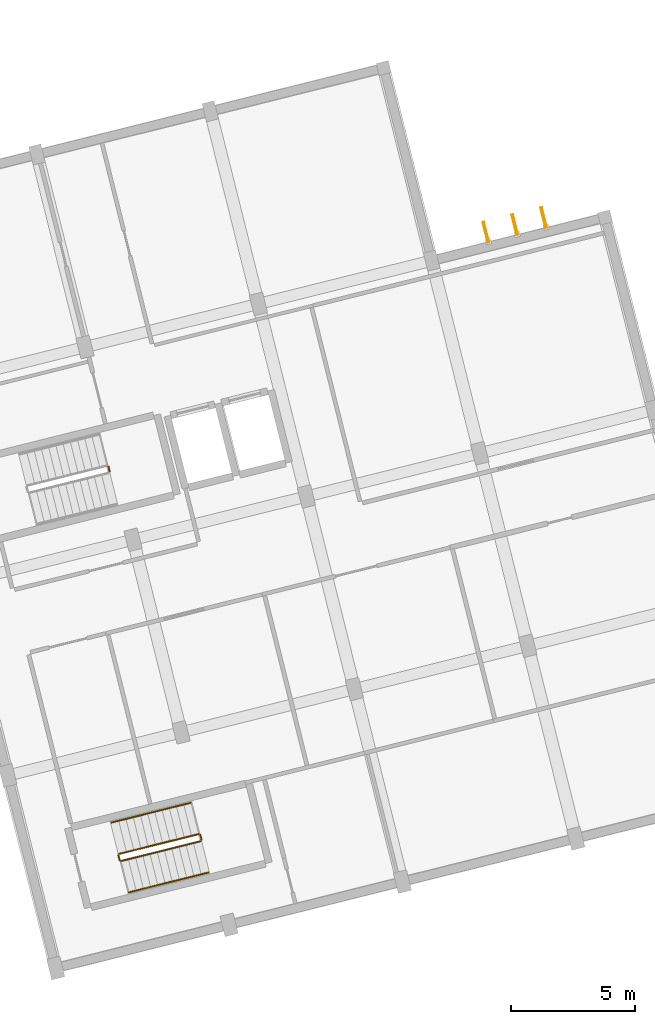
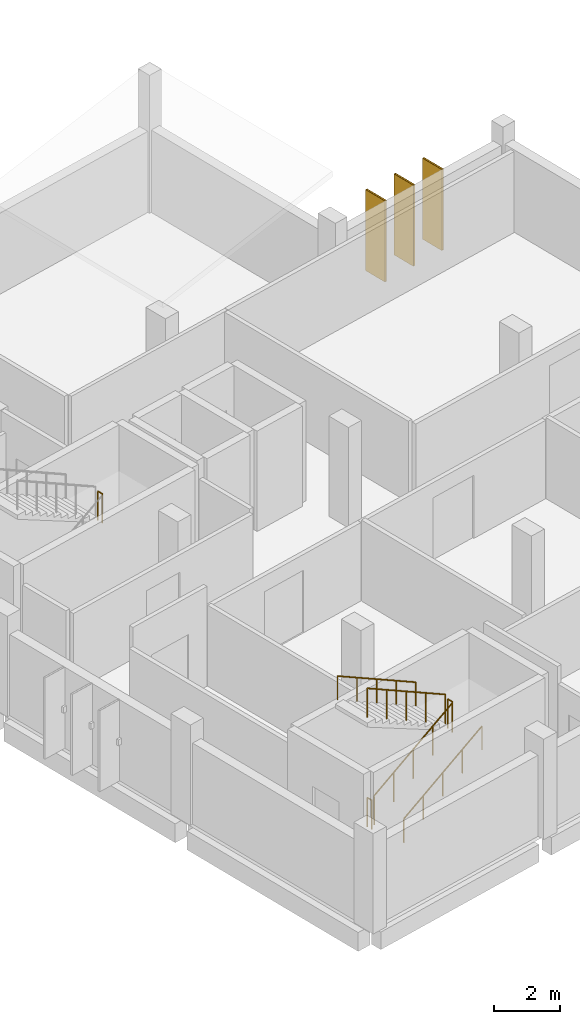
# One storey, part 21 of 21: 7 railings, 3 shading devices.
"""IFC4 building model written with IfcOpenShell, lengths in metres."""

from ifc_helpers import new_model, si_unit, direction, frame, origin, origin_2d, place, context, subcontext, project, spatial, hollow_rectangle, circle, extrude, material, material_profile, profile_set, type_object, element, save


model = new_model("IFC4")

# Units and contexts
model_context = context("Model", 3, precision=1e-05, world=origin(), true_north=direction((0.0, 1.0)))
body_context = subcontext(model_context, "Body", "Model", "MODEL_VIEW")
ifc_project = project(units=[si_unit("LENGTHUNIT", "METRE"), si_unit("AREAUNIT", "SQUARE_METRE"), si_unit("VOLUMEUNIT", "CUBIC_METRE"), si_unit("PLANEANGLEUNIT", "RADIAN"), si_unit("MASSUNIT", "GRAM", prefix="KILO")], contexts=[model_context])

# Site, building, storey
site_placement = place(None, origin())
site = spatial("IfcSite", under=ifc_project, at=site_placement, CompositionType="ELEMENT")
building_placement = place(site_placement, origin())
building = spatial("IfcBuilding", under=site, at=building_placement, Name="Mawjan Specialist Oncology Clinic", CompositionType="ELEMENT")
storey_placement = place(building_placement, frame((0.0, 0.0, 13.5)))
storey = spatial("IfcBuildingStorey", under=building, at=storey_placement, Name="L03", CompositionType="ELEMENT", Elevation=13.5)

# Railings
ifc_material_1 = material(Name="Powder-coated steel stair guard with vertical infill pickets", Category="steel")
railing_type_1 = type_object("IfcRailingType", Name="GR-110", PredefinedType="GUARDRAIL", material=ifc_material_1)
railing_1_placement = place(storey_placement, frame((128.171142578125, 20.81982421875, 2.0)))
element("IfcRailing", 1, at=railing_1_placement, inside=storey, type_object=railing_type_1, Name="L03 ST-05 stair guard 2", PredefinedType="GUARDRAIL", context=body_context, shape_type="SweptSolid", body=[
    extrude(circle(Radius=0.02392578125, at=origin_2d()), frame((0.0, 0.0, 1.076171875), z_axis=(-0.241673946692, 0.970357513234, 0.0), x_axis=(-0.970357513234, -0.241673946692, 0.0)), (0.0, 0.0, 1.0), 0.199951171875),
    extrude(circle(Radius=0.02099609375, at=origin_2d()), origin(), (0.0, 0.0, 1.0), 1.052001953125),
    extrude(circle(Radius=0.02099609375, at=origin_2d()), frame((-0.04833984375, 0.194091796875, 0.0)), (0.0, 0.0, 1.0), 1.052001953125),
])
railing_2_placement = place(storey_placement, frame((128.63427734375, 5.115478515625, 0.166748046875)))
element("IfcRailing", 2, at=railing_2_placement, inside=storey, type_object=railing_type_1, Name="L03 ST-06 stair guard 1", PredefinedType="GUARDRAIL", context=body_context, shape_type="SweptSolid", body=[
    extrude(circle(Radius=0.02392578125, at=origin_2d()), frame((0.0, 0.0, 1.076171875), z_axis=(0.848194742127, 0.211482791213, 0.485634336152), x_axis=(-0.24192630068, 0.970294627956, 0.0)), (0.0, 0.0, 1.0), 3.77490234375),
    extrude(circle(Radius=0.02099609375, at=origin_2d()), origin(), (0.0, 0.0, 1.0), 1.052001953125),
    extrude(circle(Radius=0.02099609375, at=origin_2d()), frame((0.800537109375, 0.19970703125, 0.458251953125)), (0.0, 0.0, 1.0), 1.052001953125),
    extrude(circle(Radius=0.02099609375, at=origin_2d()), frame((1.60107421875, 0.399169921875, 0.91650390625)), (0.0, 0.0, 1.0), 1.052001953125),
    extrude(circle(Radius=0.02099609375, at=origin_2d()), frame((2.4013671875, 0.5986328125, 1.375)), (0.0, 0.0, 1.0), 1.052001953125),
    extrude(circle(Radius=0.02099609375, at=origin_2d()), frame((3.201904296875, 0.79833984375, 1.833251953125)), (0.0, 0.0, 1.0), 1.052001953125),
])
railing_3_placement = place(storey_placement, frame((131.87255859375, 5.974365234375, 2.0)))
element("IfcRailing", 3, at=railing_3_placement, inside=storey, type_object=railing_type_1, Name="L03 ST-06 stair guard 2", PredefinedType="GUARDRAIL", context=body_context, shape_type="SweptSolid", body=[
    extrude(circle(Radius=0.02392578125, at=origin_2d()), frame((0.0, 0.0, 1.076171875), z_axis=(-0.241673946692, 0.970357513234, 0.0), x_axis=(-0.970357513234, -0.241673946692, 0.0)), (0.0, 0.0, 1.0), 0.199951171875),
    extrude(circle(Radius=0.02099609375, at=origin_2d()), origin(), (0.0, 0.0, 1.0), 1.052001953125),
    extrude(circle(Radius=0.02099609375, at=origin_2d()), frame((-0.04833984375, 0.194091796875, 0.0)), (0.0, 0.0, 1.0), 1.052001953125),
])
railing_4_placement = place(storey_placement, frame((131.763671875, 6.204833984375, 2.166748046875)))
element("IfcRailing", 4, at=railing_4_placement, inside=storey, type_object=railing_type_1, Name="L03 ST-06 stair guard 3", PredefinedType="GUARDRAIL", context=body_context, shape_type="SweptSolid", body=[
    extrude(circle(Radius=0.02392578125, at=origin_2d()), frame((0.0, 0.0, 1.076171875), z_axis=(-0.848194742127, -0.211482791213, 0.485634336152), x_axis=(0.24192630068, -0.970294627956, 0.0)), (0.0, 0.0, 1.0), 3.77490234375),
    extrude(circle(Radius=0.02099609375, at=origin_2d()), origin(), (0.0, 0.0, 1.0), 1.052001953125),
    extrude(circle(Radius=0.02099609375, at=origin_2d()), frame((-0.800537109375, -0.19970703125, 0.458251953125)), (0.0, 0.0, 1.0), 1.052001953125),
    extrude(circle(Radius=0.02099609375, at=origin_2d()), frame((-1.60107421875, -0.399169921875, 0.91650390625)), (0.0, 0.0, 1.0), 1.052001953125),
    extrude(circle(Radius=0.02099609375, at=origin_2d()), frame((-2.4013671875, -0.5986328125, 1.375)), (0.0, 0.0, 1.0), 1.052001953125),
    extrude(circle(Radius=0.02099609375, at=origin_2d()), frame((-3.201904296875, -0.79833984375, 1.833251953125)), (0.0, 0.0, 1.0), 1.052001953125),
])
railing_5_placement = place(storey_placement, frame((128.57373046875, 5.15185546875, 0.0)))
element("IfcRailing", 5, at=railing_5_placement, inside=storey, type_object=railing_type_1, Name="L03 ST-06 stair guard 4", PredefinedType="GUARDRAIL", context=body_context, shape_type="SweptSolid", body=[
    extrude(circle(Radius=0.02392578125, at=origin_2d()), frame((0.0, 0.0, 1.076171875), z_axis=(-0.242822723755, 0.970070680326, 0.0), x_axis=(-0.970070680326, -0.242822723755, 0.0)), (0.0, 0.0, 1.0), 0.2001953125),
    extrude(circle(Radius=0.02099609375, at=origin_2d()), origin(), (0.0, 0.0, 1.0), 1.052001953125),
    extrude(circle(Radius=0.02099609375, at=origin_2d()), frame((-0.048583984375, 0.194091796875, 0.0)), (0.0, 0.0, 1.0), 1.052001953125),
])
ifc_material_2 = material(Name="Brushed stainless-steel tubular handrail", Category="steel")
railing_type_2 = type_object("IfcRailingType", Name="HR-090", PredefinedType="HANDRAIL", material=ifc_material_2)
railing_6_placement = place(storey_placement, frame((128.94873046875, 3.85400390625, 0.166748046875)))
element("IfcRailing", 6, at=railing_6_placement, inside=storey, type_object=railing_type_2, Name="L03 ST-06 stair handrail 1", PredefinedType="HANDRAIL", context=body_context, shape_type="SweptSolid", body=[
    extrude(circle(Radius=0.02392578125, at=origin_2d()), frame((0.0, 0.0, 0.8759765625), z_axis=(0.848194742127, 0.211482791213, 0.485634336152), x_axis=(-0.24192630068, 0.970294627956, 0.0)), (0.0, 0.0, 1.0), 3.77490234375),
    extrude(circle(Radius=0.02099609375, at=origin_2d()), origin(), (0.0, 0.0, 1.0), 0.851806640625),
    extrude(circle(Radius=0.02099609375, at=origin_2d()), frame((0.800537109375, 0.19970703125, 0.458251953125)), (0.0, 0.0, 1.0), 0.851806640625),
    extrude(circle(Radius=0.02099609375, at=origin_2d()), frame((1.60107421875, 0.399169921875, 0.91650390625)), (0.0, 0.0, 1.0), 0.851806640625),
    extrude(circle(Radius=0.02099609375, at=origin_2d()), frame((2.4013671875, 0.5986328125, 1.375)), (0.0, 0.0, 1.0), 0.851806640625),
    extrude(circle(Radius=0.02099609375, at=origin_2d()), frame((3.201904296875, 0.79833984375, 1.833251953125)), (0.0, 0.0, 1.0), 0.851806640625),
])
railing_7_placement = place(storey_placement, frame((131.44921875, 7.46630859375, 2.166748046875)))
element("IfcRailing", 7, at=railing_7_placement, inside=storey, type_object=railing_type_2, Name="L03 ST-06 stair handrail 2", PredefinedType="HANDRAIL", context=body_context, shape_type="SweptSolid", body=[
    extrude(circle(Radius=0.02392578125, at=origin_2d()), frame((0.0, 0.0, 0.8759765625), z_axis=(-0.848212885837, -0.211471190659, 0.485607697449), x_axis=(0.241908934998, -0.970298957625, 0.0)), (0.0, 0.0, 1.0), 3.775146484375),
    extrude(circle(Radius=0.02099609375, at=origin_2d()), origin(), (0.0, 0.0, 1.0), 0.851806640625),
    extrude(circle(Radius=0.02099609375, at=origin_2d()), frame((-0.800537109375, -0.19970703125, 0.458251953125)), (0.0, 0.0, 1.0), 0.851806640625),
    extrude(circle(Radius=0.02099609375, at=origin_2d()), frame((-1.60107421875, -0.399169921875, 0.91650390625)), (0.0, 0.0, 1.0), 0.851806640625),
    extrude(circle(Radius=0.02099609375, at=origin_2d()), frame((-2.401611328125, -0.5986328125, 1.375)), (0.0, 0.0, 1.0), 0.851806640625),
    extrude(circle(Radius=0.02099609375, at=origin_2d()), frame((-3.2021484375, -0.79833984375, 1.833251953125)), (0.0, 0.0, 1.0), 0.851806640625),
])

# Shading devices
ifc_material_3 = material(Name="Bronze-anodised aluminium 6063-T6", Category="aluminium")
ifc_material_profile = material_profile(ifc_material_3, hollow_rectangle(XDim=0.070068359375, YDim=0.85009765625, WallThickness=0.0048828125, at=origin_2d()), Name="FIN 850x70x5", Category="aluminium")
ifc_profile_set = profile_set([ifc_material_profile], Name="Bronze-anodised aluminium 6063-T6")
shading_device_type = type_object("IfcShadingDeviceType", Name="SF-850", PredefinedType="USERDEFINED", material=ifc_profile_set)
for number, where, z_axis, x_axis, name in (
    (8, (143.338134765625, 30.465576171875, 0.0), (0.0, 0.0, 1.0), (0.970295726276, 0.2419218956, 0.0), "L03 Vertical Solar Fin SF-0058"),
    (9, (144.502685546875, 30.756103515625, 0.0), (0.0, 0.0, 1.0), (0.970295726276, 0.2419218956, 0.0), "L03 Vertical Solar Fin SF-0059"),
    (10, (145.6669921875, 31.04638671875, 0.0), (0.0, 0.0, 1.0), (0.970295726276, 0.2419218956, 0.0), "L03 Vertical Solar Fin SF-0060"),
):
    element("IfcShadingDevice", number, at=place(storey_placement, frame(where, z_axis=z_axis, x_axis=x_axis)), inside=storey, type_object=shading_device_type, Name=name, ObjectType="SOLAR FIN", PredefinedType="USERDEFINED", context=body_context, shape_type="SweptSolid", body=[
        extrude(hollow_rectangle(XDim=0.070068359375, YDim=0.85009765625, WallThickness=0.0048828125, at=origin_2d()), origin(), (0.0, 0.0, 1.0), 3.0048828125),
    ])

save(model, "model.ifc")
